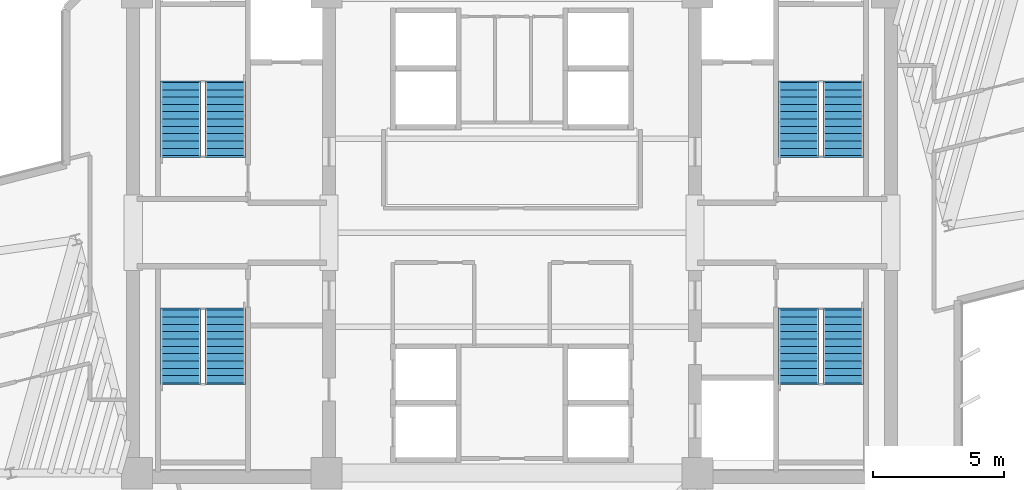
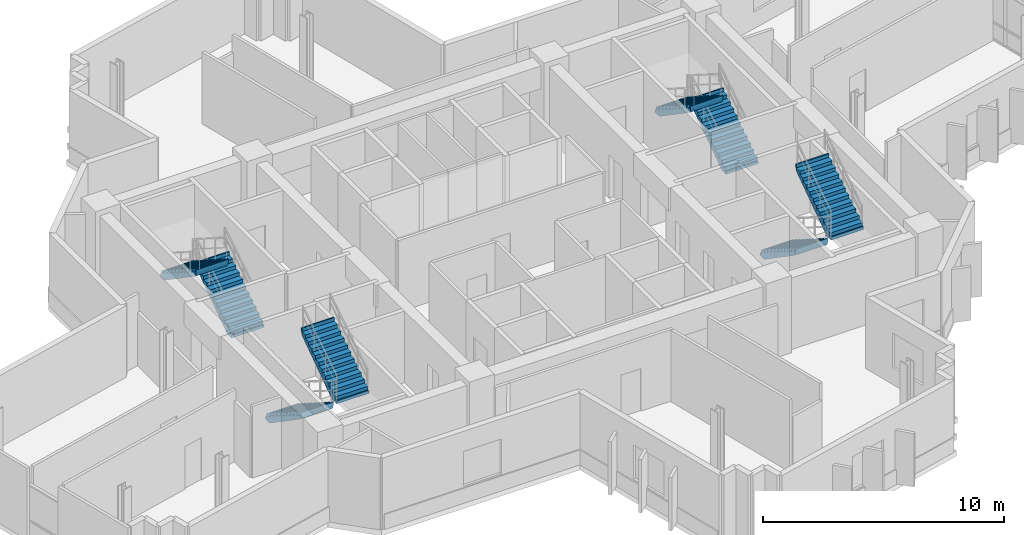
# One storey, part 10 of 13: 8 stair flights, 4 elements without a shape of their own.
"""IFC4 building model written with IfcOpenShell, lengths in metres."""

import ifcopenshell
import ifcopenshell.guid

model = None  # the IFC model being written
_history = None  # IfcOwnerHistory: only IFC2X3 demands one
_inside = {}  # id of a spatial element -> (the spatial element, [elements in it])
_under = {}  # id of a project, library or spatial element -> (it, [spatial elements below it])
_declared = {}  # id of a project -> (the project, [libraries it declares])
_typed = {}  # id of a type object -> (the type object, [elements of that type])
_made_of = {}  # id of a material, layer set ... -> (it, [elements and type objects made of it])


def new_model(schema):
    """Start an empty IFC model of exactly this schema.

    Asked for "IFC4X3", IfcOpenShell would pick the latest addendum, in which some entities
    have other attributes; the version numbers below select the first issue.
    IFC2X3 requires an IfcOwnerHistory on every rooted entity: one is made here for all.
    """
    global model, _history
    if schema == "IFC4X3":
        model = ifcopenshell.file(schema_version=(4, 3, 0, 0))
    else:
        model = ifcopenshell.file(schema=schema)
    _inside.clear()
    _under.clear()
    _declared.clear()
    _typed.clear()
    _made_of.clear()
    _history = None
    if model.schema == "IFC2X3":
        org = make("IfcOrganization", Name="unknown")
        user = make(
            "IfcPersonAndOrganization",
            ThePerson=make("IfcPerson", FamilyName="unknown"),
            TheOrganization=org,
        )
        app = make(
            "IfcApplication",
            ApplicationDeveloper=org,
            Version="unknown",
            ApplicationFullName="unknown",
            ApplicationIdentifier="unknown",
        )
        _history = make(
            "IfcOwnerHistory",
            OwningUser=user,
            OwningApplication=app,
            ChangeAction="ADDED",
            CreationDate=0,
        )
    return model


def make(cls, **values):
    """One entity of the class cls with the attributes given. An attribute that is None is left unset."""
    return model.create_entity(
        cls, **{name: value for name, value in values.items() if value is not None}
    )


def rooted(cls, **values):
    """An entity with a GlobalId (a new one), such as an element, a storey or a relation."""
    return make(cls, GlobalId=ifcopenshell.guid.new(), OwnerHistory=_history, **values)


def si_unit(unit_type, name, prefix=None):
    """IfcSIUnit, for example si_unit("LENGTHUNIT", "METRE", prefix="MILLI")."""
    return make("IfcSIUnit", UnitType=unit_type, Prefix=prefix, Name=name)


def assignment(units):
    """IfcUnitAssignment: the units of a project."""
    return None if units is None else make("IfcUnitAssignment", Units=units)


def point(xyz):
    """IfcCartesianPoint."""
    return None if xyz is None else make("IfcCartesianPoint", Coordinates=xyz)


def direction(xyz):
    """IfcDirection."""
    return None if xyz is None else make("IfcDirection", DirectionRatios=xyz)


def frame(location, z_axis=None, x_axis=None):
    """IfcAxis2Placement3D, a coordinate frame: its origin and axes. An axis left out is left unset."""
    return make(
        "IfcAxis2Placement3D",
        Location=point(location),
        Axis=direction(z_axis),
        RefDirection=direction(x_axis),
    )


def origin():
    """The frame at (0, 0, 0) with its axes left unset."""
    return frame((0.0, 0.0, 0.0))


def place(relative_to, where):
    """IfcLocalPlacement: puts the frame where relative to a parent placement (None: the world)."""
    return make(
        "IfcLocalPlacement", PlacementRelTo=relative_to, RelativePlacement=where
    )


def context(
    kind, dimensions, precision=None, world=None, true_north=None, identifier=None
):
    """IfcGeometricRepresentationContext, for example the 3D "Model" context."""
    return make(
        "IfcGeometricRepresentationContext",
        ContextIdentifier=identifier,
        ContextType=kind,
        CoordinateSpaceDimension=dimensions,
        Precision=precision,
        WorldCoordinateSystem=world,
        TrueNorth=true_north,
    )


def subcontext(parent, identifier, kind, view, scale=None):
    """IfcGeometricRepresentationSubContext, for example "Body" below "Model"."""
    return make(
        "IfcGeometricRepresentationSubContext",
        ContextIdentifier=identifier,
        ContextType=kind,
        ParentContext=parent,
        TargetScale=scale,
        TargetView=view,
    )


def project(units=None, contexts=None):
    """IfcProject with its units and contexts."""
    return rooted(
        "IfcProject",
        Name="project",
        RepresentationContexts=contexts,
        UnitsInContext=assignment(units),
    )


def spatial(cls, under=None, at=None, **own):
    """A site, building, storey or space (cls), placed at a placement, below another one or the project."""
    s = rooted(cls, ObjectPlacement=at, **own)
    if under is not None:
        _under.setdefault(under.id(), (under, []))[1].append(s)
    return s


def polyline(points):
    """IfcPolyline through the points."""
    return make("IfcPolyline", Points=[point(p) for p in points])


def outline(outer, holes=None, kind="AREA"):
    """IfcArbitraryClosedProfileDef: a profile drawn as a closed curve; with holes, ...WithVoids."""
    if holes is None:
        return make("IfcArbitraryClosedProfileDef", ProfileType=kind, OuterCurve=outer)
    return make(
        "IfcArbitraryProfileDefWithVoids",
        ProfileType=kind,
        OuterCurve=outer,
        InnerCurves=holes,
    )


def extrude(swept, where, along, depth):
    """IfcExtrudedAreaSolid: the profile swept, set in the frame where, extruded along a direction by depth."""
    return make(
        "IfcExtrudedAreaSolid",
        SweptArea=swept,
        Position=where,
        ExtrudedDirection=direction(along),
        Depth=depth,
    )


def shape(context_of_items, identifier, shape_type, items):
    """IfcShapeRepresentation: the items that make up one representation, for example the "Body"."""
    return make(
        "IfcShapeRepresentation",
        ContextOfItems=context_of_items,
        RepresentationIdentifier=identifier,
        RepresentationType=shape_type,
        Items=items,
    )


def material(Name=None, Category=None):
    """IfcMaterial."""
    return make("IfcMaterial", Name=Name, Category=Category)


def made_of(thing, what):
    """Note that an element or type object is made of a material, layer set ...; save() writes the relation."""
    if what is not None:
        _made_of.setdefault(what.id(), (what, []))[1].append(thing)
    return thing


def type_object(cls, material=None, **own):
    """A type object (cls), such as IfcWallType, which elements share."""
    return made_of(rooted(cls, **own), material)


def element(
    cls,
    number,
    at=None,
    inside=None,
    cuts=None,
    type_object=None,
    material=None,
    context=None,
    identifier="Body",
    shape_type=None,
    held_by="IfcProductDefinitionShape",
    body=None,
    shapes=None,
    **own,
):
    """One element of the class cls, such as IfcWall. Its Tag is "e" and its number.

    at: its placement. inside: the storey or other place that contains it. cuts: it is an
    opening in that element (IfcRelVoidsElement). A single representation is given by context,
    identifier, shape_type and body (its items); several are given by shapes. held_by: the class
    of the entity that holds the representations. save() writes the other relations.
    """
    e = rooted(cls, Tag="e%d" % number, ObjectPlacement=at, **own)
    if body is not None:
        shapes = [shape(context, identifier, shape_type, body)]
    if shapes is not None:
        e.Representation = make(held_by, Representations=shapes)
    if inside is not None:
        _inside.setdefault(inside.id(), (inside, []))[1].append(e)
    if cuts is not None:
        rooted(
            "IfcRelVoidsElement", RelatingBuildingElement=cuts, RelatedOpeningElement=e
        )
    if type_object is not None:
        _typed.setdefault(type_object.id(), (type_object, []))[1].append(e)
    return made_of(e, material)


def aggregate(whole, parts):
    """IfcRelAggregates: a whole, such as a stair, and the parts it consists of."""
    return rooted("IfcRelAggregates", RelatingObject=whole, RelatedObjects=parts)


def save(model, path):
    """Write the relations noted so far, then the file.

    IfcRelAggregates (storeys below a building ...), IfcRelContainedInSpatialStructure (elements
    in a storey), IfcRelDefinesByType, IfcRelAssociatesMaterial and IfcRelDeclares: one each for
    every whole, place, type object, material and project.
    """
    for whole, parts in _under.values():
        aggregate(whole, parts)
    for where, things in _inside.values():
        rooted(
            "IfcRelContainedInSpatialStructure",
            RelatedElements=things,
            RelatingStructure=where,
        )
    for kind, things in _typed.values():
        rooted("IfcRelDefinesByType", RelatedObjects=things, RelatingType=kind)
    for what, things in _made_of.values():
        rooted("IfcRelAssociatesMaterial", RelatedObjects=things, RelatingMaterial=what)
    for by, libraries in _declared.values():
        rooted("IfcRelDeclares", RelatingContext=by, RelatedDefinitions=libraries)
    model.write(path)


model = new_model("IFC4")

# Units and contexts
model_context = context("Model", 3, precision=1e-05, world=origin(), true_north=direction((0.0, 1.0)))
body_context = subcontext(model_context, "Body", "Model", "MODEL_VIEW")
ifc_project = project(units=[si_unit("LENGTHUNIT", "METRE"), si_unit("AREAUNIT", "SQUARE_METRE"), si_unit("VOLUMEUNIT", "CUBIC_METRE"), si_unit("PLANEANGLEUNIT", "RADIAN"), si_unit("MASSUNIT", "GRAM", prefix="KILO")], contexts=[model_context])

# Site, building, storey
site_placement = place(None, origin())
site = spatial("IfcSite", under=ifc_project, at=site_placement, CompositionType="ELEMENT")
building_placement = place(site_placement, origin())
building = spatial("IfcBuilding", under=site, at=building_placement, Name="Zahravan Cultural Tower", CompositionType="ELEMENT")
storey_placement = place(building_placement, frame((0.0, 0.0, 186.300048828125)))
storey = spatial("IfcBuildingStorey", under=building, at=storey_placement, Name="L43", CompositionType="ELEMENT", Elevation=186.300048828125)

# Stair, stair flights
ifc_material = material(Name="Concrete C45/55", Category="concrete")
stair_type = type_object("IfcStairType", Name="STR-DL-1550-390", PredefinedType="HALF_TURN_STAIR", material=ifc_material)
stair_1_placement = place(storey_placement, origin())
stair_1 = element("IfcStair", 1, at=stair_1_placement, inside=storey, type_object=stair_type, Name="L43 West Core North Exit Stair ST-W1", PredefinedType="HALF_TURN_STAIR")
stair_flight_type = type_object("IfcStairFlightType", Name="FLG-DL-1550-390", PredefinedType="STRAIGHT", material=ifc_material)
stair_flight_1_placement = place(storey_placement, frame((25.02490234375, 29.949951171875, 0.0), z_axis=(0.0, 0.0, 1.0), x_axis=(0.0, 1.0, 0.0)))
stair_flight_1 = element("IfcStairFlight", 2, at=stair_flight_1_placement, type_object=stair_flight_type, Name="ST-W1 flight 1", NumberOfRisers=11, NumberOfTreads=10, PredefinedType="STRAIGHT", RiserHeight=0.177272727, TreadLength=0.28, context=body_context, shape_type="SweptSolid", body=[
    extrude(outline(polyline([(-0.06494140625, -0.139892578125), (-0.06494140625, 0.0), (0.0, 0.0), (0.0, 0.17724609375), (0.280029296875, 0.17724609375), (0.280029296875, 0.3544921875), (0.56005859375, 0.3544921875), (0.56005859375, 0.53173828125), (0.840087890625, 0.53173828125), (0.840087890625, 0.708984375), (1.1201171875, 0.708984375), (1.1201171875, 0.886474609375), (1.39990234375, 0.886474609375), (1.39990234375, 1.063720703125), (1.679931640625, 1.063720703125), (1.679931640625, 1.240966796875), (1.9599609375, 1.240966796875), (1.9599609375, 1.418212890625), (2.239990234375, 1.418212890625), (2.239990234375, 1.595458984375), (2.52001953125, 1.595458984375), (2.52001953125, 1.772705078125), (2.800048828125, 1.772705078125), (2.800048828125, 1.949951171875), (2.864990234375, 1.949951171875), (2.864990234375, 1.800048828125), (2.800048828125, 1.59521484375), (0.2802734375, -0.139892578125), (-0.06494140625, -0.139892578125)])), frame((0.0, 0.77490234375, 0.0), z_axis=(0.0, -1.0, 0.0), x_axis=(1.0, 0.0, 0.0)), (0.0, 0.0, 1.0), 1.550048828125),
])
stair_flight_2_placement = place(storey_placement, frame((23.324951171875, 32.75, 1.949951171875), z_axis=(0.0, 0.0, 1.0), x_axis=(0.0, -1.0, 0.0)))
stair_flight_2 = element("IfcStairFlight", 3, at=stair_flight_2_placement, type_object=stair_flight_type, Name="ST-W1 flight 2", NumberOfRisers=11, NumberOfTreads=10, PredefinedType="STRAIGHT", RiserHeight=0.177272727, TreadLength=0.28, context=body_context, shape_type="SweptSolid", body=[
    extrude(outline(polyline([(-0.06494140625, -0.139892578125), (-0.06494140625, 0.0), (0.0, 0.0), (0.0, 0.17724609375), (0.280029296875, 0.17724609375), (0.280029296875, 0.3544921875), (0.56005859375, 0.3544921875), (0.56005859375, 0.53173828125), (0.840087890625, 0.53173828125), (0.840087890625, 0.708984375), (1.1201171875, 0.708984375), (1.1201171875, 0.886474609375), (1.39990234375, 0.886474609375), (1.39990234375, 1.063720703125), (1.679931640625, 1.063720703125), (1.679931640625, 1.240966796875), (1.9599609375, 1.240966796875), (1.9599609375, 1.418212890625), (2.239990234375, 1.418212890625), (2.239990234375, 1.595458984375), (2.52001953125, 1.595458984375), (2.52001953125, 1.772705078125), (2.800048828125, 1.772705078125), (2.800048828125, 1.949951171875), (2.864990234375, 1.949951171875), (2.864990234375, 1.800048828125), (2.800048828125, 1.59521484375), (0.2802734375, -0.139892578125), (-0.06494140625, -0.139892578125)])), frame((0.0, 0.77490234375, 0.0), z_axis=(0.0, -1.0, 0.0), x_axis=(1.0, 0.0, 0.0)), (0.0, 0.0, 1.0), 1.550048828125),
])
aggregate(stair_1, [stair_flight_1, stair_flight_2])

stair_2_placement = place(storey_placement, origin())
stair_2 = element("IfcStair", 4, at=stair_2_placement, inside=storey, type_object=stair_type, Name="L43 West Core South Exit Stair ST-W2", PredefinedType="HALF_TURN_STAIR")
stair_flight_3_placement = place(storey_placement, frame((23.324951171875, 24.050048828125, 0.0), z_axis=(0.0, 0.0, 1.0), x_axis=(0.0, -1.0, 0.0)))
stair_flight_3 = element("IfcStairFlight", 5, at=stair_flight_3_placement, type_object=stair_flight_type, Name="ST-W2 flight 1", NumberOfRisers=11, NumberOfTreads=10, PredefinedType="STRAIGHT", RiserHeight=0.177272727, TreadLength=0.28, context=body_context, shape_type="SweptSolid", body=[
    extrude(outline(polyline([(-0.06494140625, -0.139892578125), (-0.06494140625, 0.0), (0.0, 0.0), (0.0, 0.17724609375), (0.280029296875, 0.17724609375), (0.280029296875, 0.3544921875), (0.56005859375, 0.3544921875), (0.56005859375, 0.53173828125), (0.840087890625, 0.53173828125), (0.840087890625, 0.708984375), (1.1201171875, 0.708984375), (1.1201171875, 0.886474609375), (1.39990234375, 0.886474609375), (1.39990234375, 1.063720703125), (1.679931640625, 1.063720703125), (1.679931640625, 1.240966796875), (1.9599609375, 1.240966796875), (1.9599609375, 1.418212890625), (2.239990234375, 1.418212890625), (2.239990234375, 1.595458984375), (2.52001953125, 1.595458984375), (2.52001953125, 1.772705078125), (2.800048828125, 1.772705078125), (2.800048828125, 1.949951171875), (2.864990234375, 1.949951171875), (2.864990234375, 1.800048828125), (2.800048828125, 1.59521484375), (0.2802734375, -0.139892578125), (-0.06494140625, -0.139892578125)])), frame((0.0, 0.77490234375, 0.0), z_axis=(0.0, -1.0, 0.0), x_axis=(1.0, 0.0, 0.0)), (0.0, 0.0, 1.0), 1.550048828125),
])
stair_flight_4_placement = place(storey_placement, frame((25.02490234375, 21.25, 1.949951171875), z_axis=(0.0, 0.0, 1.0), x_axis=(0.0, 1.0, 0.0)))
stair_flight_4 = element("IfcStairFlight", 6, at=stair_flight_4_placement, type_object=stair_flight_type, Name="ST-W2 flight 2", NumberOfRisers=11, NumberOfTreads=10, PredefinedType="STRAIGHT", RiserHeight=0.177272727, TreadLength=0.28, context=body_context, shape_type="SweptSolid", body=[
    extrude(outline(polyline([(-0.06494140625, -0.139892578125), (-0.06494140625, 0.0), (0.0, 0.0), (0.0, 0.17724609375), (0.280029296875, 0.17724609375), (0.280029296875, 0.3544921875), (0.56005859375, 0.3544921875), (0.56005859375, 0.53173828125), (0.840087890625, 0.53173828125), (0.840087890625, 0.708984375), (1.1201171875, 0.708984375), (1.1201171875, 0.886474609375), (1.39990234375, 0.886474609375), (1.39990234375, 1.063720703125), (1.679931640625, 1.063720703125), (1.679931640625, 1.240966796875), (1.9599609375, 1.240966796875), (1.9599609375, 1.418212890625), (2.239990234375, 1.418212890625), (2.239990234375, 1.595458984375), (2.52001953125, 1.595458984375), (2.52001953125, 1.772705078125), (2.800048828125, 1.772705078125), (2.800048828125, 1.949951171875), (2.864990234375, 1.949951171875), (2.864990234375, 1.800048828125), (2.800048828125, 1.59521484375), (0.2802734375, -0.139892578125), (-0.06494140625, -0.139892578125)])), frame((0.0, 0.77490234375, 0.0), z_axis=(0.0, -1.0, 0.0), x_axis=(1.0, 0.0, 0.0)), (0.0, 0.0, 1.0), 1.550048828125),
])
aggregate(stair_2, [stair_flight_3, stair_flight_4])

stair_3_placement = place(storey_placement, origin())
stair_3 = element("IfcStair", 7, at=stair_3_placement, inside=storey, type_object=stair_type, Name="L43 East Core North Exit Stair ST-E1", PredefinedType="HALF_TURN_STAIR")
stair_flight_5_placement = place(storey_placement, frame((48.675048828125, 29.949951171875, 0.0), z_axis=(0.0, 0.0, 1.0), x_axis=(0.0, 1.0, 0.0)))
stair_flight_5 = element("IfcStairFlight", 8, at=stair_flight_5_placement, type_object=stair_flight_type, Name="ST-E1 flight 1", NumberOfRisers=11, NumberOfTreads=10, PredefinedType="STRAIGHT", RiserHeight=0.177272727, TreadLength=0.28, context=body_context, shape_type="SweptSolid", body=[
    extrude(outline(polyline([(-0.06494140625, -0.139892578125), (-0.06494140625, 0.0), (0.0, 0.0), (0.0, 0.17724609375), (0.280029296875, 0.17724609375), (0.280029296875, 0.3544921875), (0.56005859375, 0.3544921875), (0.56005859375, 0.53173828125), (0.840087890625, 0.53173828125), (0.840087890625, 0.708984375), (1.1201171875, 0.708984375), (1.1201171875, 0.886474609375), (1.39990234375, 0.886474609375), (1.39990234375, 1.063720703125), (1.679931640625, 1.063720703125), (1.679931640625, 1.240966796875), (1.9599609375, 1.240966796875), (1.9599609375, 1.418212890625), (2.239990234375, 1.418212890625), (2.239990234375, 1.595458984375), (2.52001953125, 1.595458984375), (2.52001953125, 1.772705078125), (2.800048828125, 1.772705078125), (2.800048828125, 1.949951171875), (2.864990234375, 1.949951171875), (2.864990234375, 1.800048828125), (2.800048828125, 1.59521484375), (0.2802734375, -0.139892578125), (-0.06494140625, -0.139892578125)])), frame((0.0, 0.77490234375, 0.0), z_axis=(0.0, -1.0, 0.0), x_axis=(1.0, 0.0, 0.0)), (0.0, 0.0, 1.0), 1.550048828125),
])
stair_flight_6_placement = place(storey_placement, frame((46.97509765625, 32.75, 1.949951171875), z_axis=(0.0, 0.0, 1.0), x_axis=(0.0, -1.0, 0.0)))
stair_flight_6 = element("IfcStairFlight", 9, at=stair_flight_6_placement, type_object=stair_flight_type, Name="ST-E1 flight 2", NumberOfRisers=11, NumberOfTreads=10, PredefinedType="STRAIGHT", RiserHeight=0.177272727, TreadLength=0.28, context=body_context, shape_type="SweptSolid", body=[
    extrude(outline(polyline([(-0.06494140625, -0.139892578125), (-0.06494140625, 0.0), (0.0, 0.0), (0.0, 0.17724609375), (0.280029296875, 0.17724609375), (0.280029296875, 0.3544921875), (0.56005859375, 0.3544921875), (0.56005859375, 0.53173828125), (0.840087890625, 0.53173828125), (0.840087890625, 0.708984375), (1.1201171875, 0.708984375), (1.1201171875, 0.886474609375), (1.39990234375, 0.886474609375), (1.39990234375, 1.063720703125), (1.679931640625, 1.063720703125), (1.679931640625, 1.240966796875), (1.9599609375, 1.240966796875), (1.9599609375, 1.418212890625), (2.239990234375, 1.418212890625), (2.239990234375, 1.595458984375), (2.52001953125, 1.595458984375), (2.52001953125, 1.772705078125), (2.800048828125, 1.772705078125), (2.800048828125, 1.949951171875), (2.864990234375, 1.949951171875), (2.864990234375, 1.800048828125), (2.800048828125, 1.59521484375), (0.2802734375, -0.139892578125), (-0.06494140625, -0.139892578125)])), frame((0.0, 0.77490234375, 0.0), z_axis=(0.0, -1.0, 0.0), x_axis=(1.0, 0.0, 0.0)), (0.0, 0.0, 1.0), 1.550048828125),
])
aggregate(stair_3, [stair_flight_5, stair_flight_6])

stair_4_placement = place(storey_placement, origin())
stair_4 = element("IfcStair", 10, at=stair_4_placement, inside=storey, type_object=stair_type, Name="L43 East Core South Exit Stair ST-E2", PredefinedType="HALF_TURN_STAIR")
stair_flight_7_placement = place(storey_placement, frame((46.97509765625, 24.050048828125, 0.0), z_axis=(0.0, 0.0, 1.0), x_axis=(0.0, -1.0, 0.0)))
stair_flight_7 = element("IfcStairFlight", 11, at=stair_flight_7_placement, type_object=stair_flight_type, Name="ST-E2 flight 1", NumberOfRisers=11, NumberOfTreads=10, PredefinedType="STRAIGHT", RiserHeight=0.177272727, TreadLength=0.28, context=body_context, shape_type="SweptSolid", body=[
    extrude(outline(polyline([(-0.06494140625, -0.139892578125), (-0.06494140625, 0.0), (0.0, 0.0), (0.0, 0.17724609375), (0.280029296875, 0.17724609375), (0.280029296875, 0.3544921875), (0.56005859375, 0.3544921875), (0.56005859375, 0.53173828125), (0.840087890625, 0.53173828125), (0.840087890625, 0.708984375), (1.1201171875, 0.708984375), (1.1201171875, 0.886474609375), (1.39990234375, 0.886474609375), (1.39990234375, 1.063720703125), (1.679931640625, 1.063720703125), (1.679931640625, 1.240966796875), (1.9599609375, 1.240966796875), (1.9599609375, 1.418212890625), (2.239990234375, 1.418212890625), (2.239990234375, 1.595458984375), (2.52001953125, 1.595458984375), (2.52001953125, 1.772705078125), (2.800048828125, 1.772705078125), (2.800048828125, 1.949951171875), (2.864990234375, 1.949951171875), (2.864990234375, 1.800048828125), (2.800048828125, 1.59521484375), (0.2802734375, -0.139892578125), (-0.06494140625, -0.139892578125)])), frame((0.0, 0.77490234375, 0.0), z_axis=(0.0, -1.0, 0.0), x_axis=(1.0, 0.0, 0.0)), (0.0, 0.0, 1.0), 1.550048828125),
])
stair_flight_8_placement = place(storey_placement, frame((48.675048828125, 21.25, 1.949951171875), z_axis=(0.0, 0.0, 1.0), x_axis=(0.0, 1.0, 0.0)))
stair_flight_8 = element("IfcStairFlight", 12, at=stair_flight_8_placement, type_object=stair_flight_type, Name="ST-E2 flight 2", NumberOfRisers=11, NumberOfTreads=10, PredefinedType="STRAIGHT", RiserHeight=0.177272727, TreadLength=0.28, context=body_context, shape_type="SweptSolid", body=[
    extrude(outline(polyline([(-0.06494140625, -0.139892578125), (-0.06494140625, 0.0), (0.0, 0.0), (0.0, 0.17724609375), (0.280029296875, 0.17724609375), (0.280029296875, 0.3544921875), (0.56005859375, 0.3544921875), (0.56005859375, 0.53173828125), (0.840087890625, 0.53173828125), (0.840087890625, 0.708984375), (1.1201171875, 0.708984375), (1.1201171875, 0.886474609375), (1.39990234375, 0.886474609375), (1.39990234375, 1.063720703125), (1.679931640625, 1.063720703125), (1.679931640625, 1.240966796875), (1.9599609375, 1.240966796875), (1.9599609375, 1.418212890625), (2.239990234375, 1.418212890625), (2.239990234375, 1.595458984375), (2.52001953125, 1.595458984375), (2.52001953125, 1.772705078125), (2.800048828125, 1.772705078125), (2.800048828125, 1.949951171875), (2.864990234375, 1.949951171875), (2.864990234375, 1.800048828125), (2.800048828125, 1.59521484375), (0.2802734375, -0.139892578125), (-0.06494140625, -0.139892578125)])), frame((0.0, 0.77490234375, 0.0), z_axis=(0.0, -1.0, 0.0), x_axis=(1.0, 0.0, 0.0)), (0.0, 0.0, 1.0), 1.550048828125),
])
aggregate(stair_4, [stair_flight_7, stair_flight_8])

save(model, "model.ifc")
